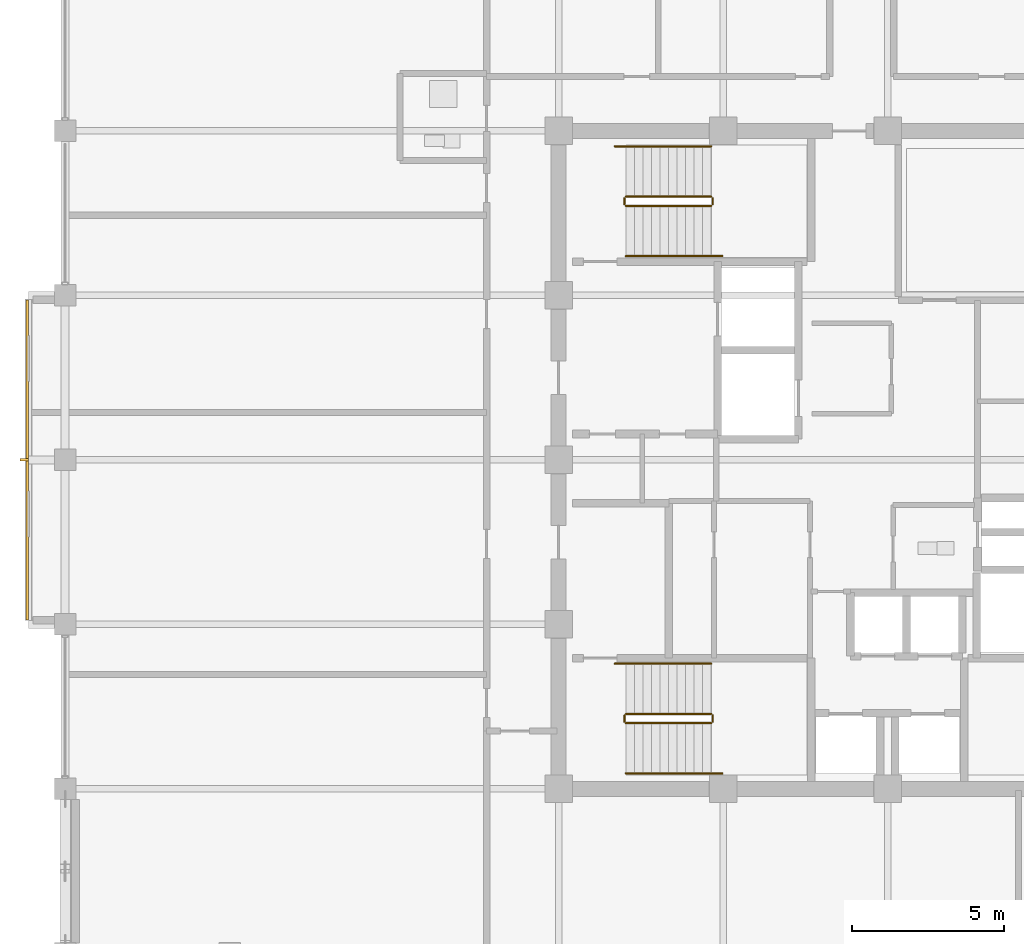
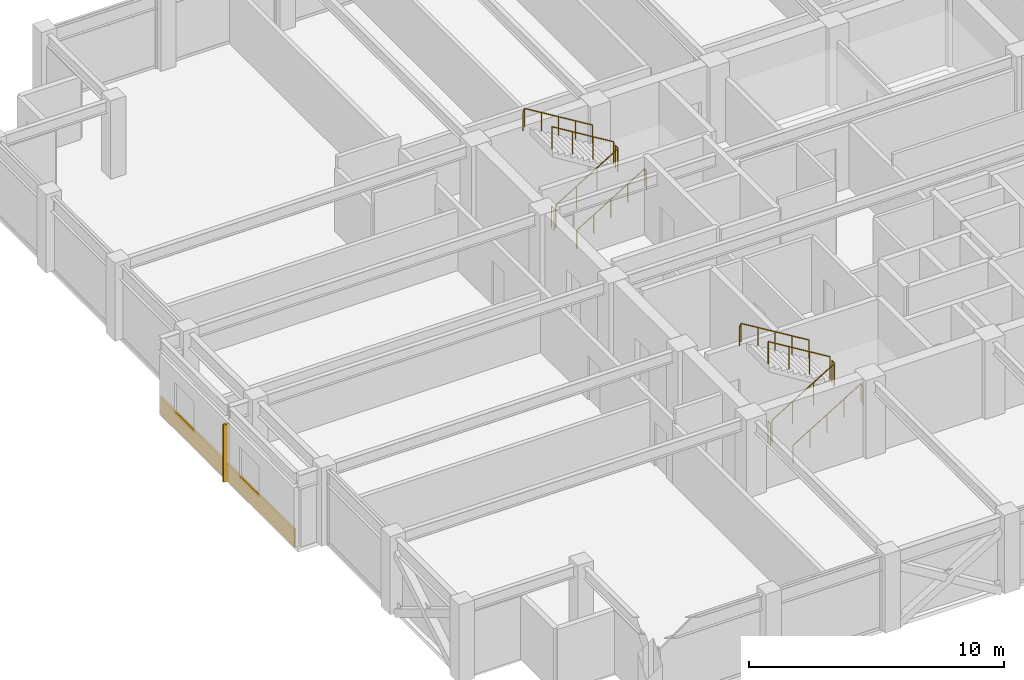
# One storey, part 28 of 30: 12 railings, 1 covering, 1 shading device.
"""IFC4 building model written with IfcOpenShell, lengths in metres."""

from ifc_helpers import new_model, si_unit, direction, frame, origin, origin_2d, place, context, subcontext, project, spatial, rectangle, circle, extrude, material, layer, layer_set, type_object, element, save


model = new_model("IFC4")

# Units and contexts
model_context = context("Model", 3, precision=1e-05, world=origin(), true_north=direction((0.0, 1.0)))
body_context = subcontext(model_context, "Body", "Model", "MODEL_VIEW")
ifc_project = project(units=[si_unit("LENGTHUNIT", "METRE"), si_unit("AREAUNIT", "SQUARE_METRE"), si_unit("VOLUMEUNIT", "CUBIC_METRE"), si_unit("PLANEANGLEUNIT", "RADIAN"), si_unit("MASSUNIT", "GRAM", prefix="KILO")], contexts=[model_context])

# Site, building, storey
site_placement = place(None, origin())
site = spatial("IfcSite", under=ifc_project, at=site_placement, CompositionType="ELEMENT")
building_placement = place(site_placement, origin())
building = spatial("IfcBuilding", under=site, at=building_placement, Name="Surkhivell Harbour Commons", CompositionType="ELEMENT")
storey_placement = place(building_placement, frame((0.0, 0.0, 303.75)))
storey = spatial("IfcBuildingStorey", under=building, at=storey_placement, Name="L79", CompositionType="ELEMENT", Elevation=303.75)

# Covering
ifc_material_1 = material(Name="Vermilion-coral enamelled aluminium cassette panel", Category="aluminium")
ifc_layer = layer(ifc_material_1, 0.074951171875)
ifc_layer_set = layer_set([ifc_layer], Name="Vermilion-coral enamelled aluminium cassette panel")
covering_type = type_object("IfcCoveringType", Name="COV-CLAD-VER", PredefinedType="CLADDING", material=ifc_layer_set)
covering_placement = place(storey_placement, frame((-28.239990234375, 0.0, 0.0), z_axis=(0.0, 0.0, 1.0), x_axis=(1.0, 0.0, 0.0)))
element("IfcCovering", 1, at=covering_placement, inside=storey, type_object=covering_type, Name="L79 Coloured-Panel Box Spandrel Cassette 02", PredefinedType="CLADDING", context=body_context, shape_type="SweptSolid", body=[
    extrude(rectangle(XDim=0.080078125, YDim=10.5, at=origin_2d()), origin(), (0.0, 0.0, 1.0), 0.840087890625),
])

# Railings
ifc_material_2 = material(Name="Galvanised and painted steel S355 guard rail", Category="steel")
railing_type_1 = type_object("IfcRailingType", Name="RAL-ST-GRD1100", PredefinedType="GUARDRAIL", material=ifc_material_2)
railing_1_placement = place(storey_placement, frame((-8.590087890625, 8.340087890625, 0.17041015625)))
element("IfcRailing", 2, at=railing_1_placement, inside=storey, type_object=railing_type_1, Name="L79 ST1 stair guard 1", PredefinedType="GUARDRAIL", context=body_context, shape_type="SweptSolid", body=[
    extrude(circle(Radius=0.02392578125, at=origin_2d()), frame((0.0, 0.0, 1.076171875), z_axis=(0.854169791009, 0.0, 0.51999420009), x_axis=(0.0, 1.0, 0.0)), (0.0, 0.0, 1.0), 3.278076171875),
    extrude(circle(Radius=0.02099609375, at=origin_2d()), origin(), (0.0, 0.0, 1.0), 1.052001953125),
    extrude(circle(Radius=0.02099609375, at=origin_2d()), frame((0.933349609375, 0.0, 0.568115234375)), (0.0, 0.0, 1.0), 1.052001953125),
    extrude(circle(Radius=0.02099609375, at=origin_2d()), frame((1.86669921875, 0.0, 1.136474609375)), (0.0, 0.0, 1.0), 1.052001953125),
    extrude(circle(Radius=0.02099609375, at=origin_2d()), frame((2.800048828125, 0.0, 1.70458984375)), (0.0, 0.0, 1.0), 1.052001953125),
])
railing_2_placement = place(storey_placement, frame((-5.739990234375, 8.389892578125, 1.875)))
element("IfcRailing", 3, at=railing_2_placement, inside=storey, type_object=railing_type_1, Name="L79 ST1 stair guard 2", PredefinedType="GUARDRAIL", context=body_context, shape_type="SweptSolid", body=[
    extrude(circle(Radius=0.02392578125, at=origin_2d()), frame((0.0, 0.0, 1.076171875), z_axis=(0.0, 1.0, 0.0), x_axis=(-1.0, 0.0, 0.0)), (0.0, 0.0, 1.0), 0.2001953125),
    extrude(circle(Radius=0.02099609375, at=origin_2d()), origin(), (0.0, 0.0, 1.0), 1.052001953125),
    extrude(circle(Radius=0.02099609375, at=origin_2d()), frame((0.0, 0.2001953125, 0.0)), (0.0, 0.0, 1.0), 1.052001953125),
])
railing_3_placement = place(storey_placement, frame((-5.7900390625, 8.639892578125, 2.04541015625)))
element("IfcRailing", 4, at=railing_3_placement, inside=storey, type_object=railing_type_1, Name="L79 ST1 stair guard 3", PredefinedType="GUARDRAIL", context=body_context, shape_type="SweptSolid", body=[
    extrude(circle(Radius=0.02392578125, at=origin_2d()), frame((0.0, 0.0, 1.076171875), z_axis=(-0.854169791009, 0.0, 0.51999420009), x_axis=(0.0, -1.0, 0.0)), (0.0, 0.0, 1.0), 3.278076171875),
    extrude(circle(Radius=0.02099609375, at=origin_2d()), origin(), (0.0, 0.0, 1.0), 1.052001953125),
    extrude(circle(Radius=0.02099609375, at=origin_2d()), frame((-0.933349609375, 0.0, 0.568115234375)), (0.0, 0.0, 1.0), 1.052001953125),
    extrude(circle(Radius=0.02099609375, at=origin_2d()), frame((-1.86669921875, 0.0, 1.136474609375)), (0.0, 0.0, 1.0), 1.052001953125),
    extrude(circle(Radius=0.02099609375, at=origin_2d()), frame((-2.800048828125, 0.0, 1.70458984375)), (0.0, 0.0, 1.0), 1.052001953125),
])
railing_4_placement = place(storey_placement, frame((-8.639892578125, 8.389892578125, 0.0)))
element("IfcRailing", 5, at=railing_4_placement, inside=storey, type_object=railing_type_1, Name="L79 ST1 stair guard 4", PredefinedType="GUARDRAIL", context=body_context, shape_type="SweptSolid", body=[
    extrude(circle(Radius=0.02392578125, at=origin_2d()), frame((0.0, 0.0, 1.076171875), z_axis=(0.0, 1.0, 0.0), x_axis=(-1.0, 0.0, 0.0)), (0.0, 0.0, 1.0), 0.2001953125),
    extrude(circle(Radius=0.02099609375, at=origin_2d()), origin(), (0.0, 0.0, 1.0), 1.052001953125),
    extrude(circle(Radius=0.02099609375, at=origin_2d()), frame((0.0, 0.2001953125, 0.0)), (0.0, 0.0, 1.0), 1.052001953125),
])
railing_5_placement = place(storey_placement, frame((-8.590087890625, -8.639892578125, 0.17041015625)))
element("IfcRailing", 6, at=railing_5_placement, inside=storey, type_object=railing_type_1, Name="L79 ST3 stair guard 1", PredefinedType="GUARDRAIL", context=body_context, shape_type="SweptSolid", body=[
    extrude(circle(Radius=0.02392578125, at=origin_2d()), frame((0.0, 0.0, 1.076171875), z_axis=(0.854169791009, 0.0, 0.51999420009), x_axis=(0.0, 1.0, 0.0)), (0.0, 0.0, 1.0), 3.278076171875),
    extrude(circle(Radius=0.02099609375, at=origin_2d()), origin(), (0.0, 0.0, 1.0), 1.052001953125),
    extrude(circle(Radius=0.02099609375, at=origin_2d()), frame((0.933349609375, 0.0, 0.568115234375)), (0.0, 0.0, 1.0), 1.052001953125),
    extrude(circle(Radius=0.02099609375, at=origin_2d()), frame((1.86669921875, 0.0, 1.136474609375)), (0.0, 0.0, 1.0), 1.052001953125),
    extrude(circle(Radius=0.02099609375, at=origin_2d()), frame((2.800048828125, 0.0, 1.70458984375)), (0.0, 0.0, 1.0), 1.052001953125),
])
railing_6_placement = place(storey_placement, frame((-5.739990234375, -8.590087890625, 1.875)))
element("IfcRailing", 7, at=railing_6_placement, inside=storey, type_object=railing_type_1, Name="L79 ST3 stair guard 2", PredefinedType="GUARDRAIL", context=body_context, shape_type="SweptSolid", body=[
    extrude(circle(Radius=0.02392578125, at=origin_2d()), frame((0.0, 0.0, 1.076171875), z_axis=(0.0, 1.0, 0.0), x_axis=(-1.0, 0.0, 0.0)), (0.0, 0.0, 1.0), 0.2001953125),
    extrude(circle(Radius=0.02099609375, at=origin_2d()), origin(), (0.0, 0.0, 1.0), 1.052001953125),
    extrude(circle(Radius=0.02099609375, at=origin_2d()), frame((0.0, 0.2001953125, 0.0)), (0.0, 0.0, 1.0), 1.052001953125),
])
railing_7_placement = place(storey_placement, frame((-5.7900390625, -8.340087890625, 2.04541015625)))
element("IfcRailing", 8, at=railing_7_placement, inside=storey, type_object=railing_type_1, Name="L79 ST3 stair guard 3", PredefinedType="GUARDRAIL", context=body_context, shape_type="SweptSolid", body=[
    extrude(circle(Radius=0.02392578125, at=origin_2d()), frame((0.0, 0.0, 1.076171875), z_axis=(-0.854169791009, 0.0, 0.51999420009), x_axis=(0.0, -1.0, 0.0)), (0.0, 0.0, 1.0), 3.278076171875),
    extrude(circle(Radius=0.02099609375, at=origin_2d()), origin(), (0.0, 0.0, 1.0), 1.052001953125),
    extrude(circle(Radius=0.02099609375, at=origin_2d()), frame((-0.933349609375, 0.0, 0.568115234375)), (0.0, 0.0, 1.0), 1.052001953125),
    extrude(circle(Radius=0.02099609375, at=origin_2d()), frame((-1.86669921875, 0.0, 1.136474609375)), (0.0, 0.0, 1.0), 1.052001953125),
    extrude(circle(Radius=0.02099609375, at=origin_2d()), frame((-2.800048828125, 0.0, 1.70458984375)), (0.0, 0.0, 1.0), 1.052001953125),
])
railing_8_placement = place(storey_placement, frame((-8.639892578125, -8.590087890625, 0.0)))
element("IfcRailing", 9, at=railing_8_placement, inside=storey, type_object=railing_type_1, Name="L79 ST3 stair guard 4", PredefinedType="GUARDRAIL", context=body_context, shape_type="SweptSolid", body=[
    extrude(circle(Radius=0.02392578125, at=origin_2d()), frame((0.0, 0.0, 1.076171875), z_axis=(0.0, 1.0, 0.0), x_axis=(-1.0, 0.0, 0.0)), (0.0, 0.0, 1.0), 0.2001953125),
    extrude(circle(Radius=0.02099609375, at=origin_2d()), origin(), (0.0, 0.0, 1.0), 1.052001953125),
    extrude(circle(Radius=0.02099609375, at=origin_2d()), frame((0.0, 0.2001953125, 0.0)), (0.0, 0.0, 1.0), 1.052001953125),
])
ifc_material_3 = material(Name="Brushed stainless steel S355 handrail", Category="steel")
railing_type_2 = type_object("IfcRailingType", Name="RAL-ST-HND900", PredefinedType="HANDRAIL", material=ifc_material_3)
railing_9_placement = place(storey_placement, frame((-8.590087890625, 6.68994140625, 0.17041015625)))
element("IfcRailing", 10, at=railing_9_placement, inside=storey, type_object=railing_type_2, Name="L79 ST1 stair handrail 1", PredefinedType="HANDRAIL", context=body_context, shape_type="SweptSolid", body=[
    extrude(circle(Radius=0.02392578125, at=origin_2d()), frame((0.0, 0.0, 0.8759765625), z_axis=(0.854177636135, 0.0, 0.519981313056), x_axis=(0.0, 1.0, 0.0)), (0.0, 0.0, 1.0), 3.60595703125),
    extrude(circle(Radius=0.02392578125, at=origin_2d()), frame((3.080078125, 0.0, 2.7509765625), z_axis=(0.425297416671, 0.0, -0.905053648892), x_axis=(0.0, 1.0, 0.0)), (0.0, 0.0, 1.0), 0.188232421875),
    extrude(circle(Radius=0.02099609375, at=origin_2d()), origin(), (0.0, 0.0, 1.0), 0.851806640625),
    extrude(circle(Radius=0.02099609375, at=origin_2d()), frame((0.77001953125, 0.0, 0.46875)), (0.0, 0.0, 1.0), 0.851806640625),
    extrude(circle(Radius=0.02099609375, at=origin_2d()), frame((1.5400390625, 0.0, 0.9375)), (0.0, 0.0, 1.0), 0.851806640625),
    extrude(circle(Radius=0.02099609375, at=origin_2d()), frame((2.31005859375, 0.0, 1.40625)), (0.0, 0.0, 1.0), 0.851806640625),
    extrude(circle(Radius=0.02099609375, at=origin_2d()), frame((3.080078125, 0.0, 1.875)), (0.0, 0.0, 1.0), 0.851806640625),
    extrude(circle(Radius=0.02099609375, at=origin_2d()), frame((3.16015625, 0.0, 1.70458984375)), (0.0, 0.0, 1.0), 0.851806640625),
])
railing_10_placement = place(storey_placement, frame((-5.7900390625, 10.2900390625, 2.04541015625)))
element("IfcRailing", 11, at=railing_10_placement, inside=storey, type_object=railing_type_2, Name="L79 ST1 stair handrail 2", PredefinedType="HANDRAIL", context=body_context, shape_type="SweptSolid", body=[
    extrude(circle(Radius=0.02392578125, at=origin_2d()), frame((0.0, 0.0, 0.8759765625), z_axis=(-0.854177636135, 0.0, 0.519981313056), x_axis=(0.0, -1.0, 0.0)), (0.0, 0.0, 1.0), 3.60595703125),
    extrude(circle(Radius=0.02392578125, at=origin_2d()), frame((-3.080078125, 0.0, 2.7509765625), z_axis=(-0.424234432967, 0.0, -0.905552398199), x_axis=(0.0, -1.0, 0.0)), (0.0, 0.0, 1.0), 0.188232421875),
    extrude(circle(Radius=0.02099609375, at=origin_2d()), origin(), (0.0, 0.0, 1.0), 0.851806640625),
    extrude(circle(Radius=0.02099609375, at=origin_2d()), frame((-0.77001953125, 0.0, 0.46875)), (0.0, 0.0, 1.0), 0.851806640625),
    extrude(circle(Radius=0.02099609375, at=origin_2d()), frame((-1.5400390625, 0.0, 0.9375)), (0.0, 0.0, 1.0), 0.851806640625),
    extrude(circle(Radius=0.02099609375, at=origin_2d()), frame((-2.31005859375, 0.0, 1.40625)), (0.0, 0.0, 1.0), 0.851806640625),
    extrude(circle(Radius=0.02099609375, at=origin_2d()), frame((-3.080078125, 0.0, 1.875)), (0.0, 0.0, 1.0), 0.851806640625),
    extrude(circle(Radius=0.02099609375, at=origin_2d()), frame((-3.159912109375, 0.0, 1.70458984375)), (0.0, 0.0, 1.0), 0.851806640625),
])
railing_11_placement = place(storey_placement, frame((-8.590087890625, -10.2900390625, 0.17041015625)))
element("IfcRailing", 12, at=railing_11_placement, inside=storey, type_object=railing_type_2, Name="L79 ST3 stair handrail 1", PredefinedType="HANDRAIL", context=body_context, shape_type="SweptSolid", body=[
    extrude(circle(Radius=0.02392578125, at=origin_2d()), frame((0.0, 0.0, 0.8759765625), z_axis=(0.854177636135, 0.0, 0.519981313056), x_axis=(0.0, 1.0, 0.0)), (0.0, 0.0, 1.0), 3.60595703125),
    extrude(circle(Radius=0.02392578125, at=origin_2d()), frame((3.080078125, 0.0, 2.7509765625), z_axis=(0.425297416671, 0.0, -0.905053648892), x_axis=(0.0, 1.0, 0.0)), (0.0, 0.0, 1.0), 0.188232421875),
    extrude(circle(Radius=0.02099609375, at=origin_2d()), origin(), (0.0, 0.0, 1.0), 0.851806640625),
    extrude(circle(Radius=0.02099609375, at=origin_2d()), frame((0.77001953125, 0.0, 0.46875)), (0.0, 0.0, 1.0), 0.851806640625),
    extrude(circle(Radius=0.02099609375, at=origin_2d()), frame((1.5400390625, 0.0, 0.9375)), (0.0, 0.0, 1.0), 0.851806640625),
    extrude(circle(Radius=0.02099609375, at=origin_2d()), frame((2.31005859375, 0.0, 1.40625)), (0.0, 0.0, 1.0), 0.851806640625),
    extrude(circle(Radius=0.02099609375, at=origin_2d()), frame((3.080078125, 0.0, 1.875)), (0.0, 0.0, 1.0), 0.851806640625),
    extrude(circle(Radius=0.02099609375, at=origin_2d()), frame((3.16015625, 0.0, 1.70458984375)), (0.0, 0.0, 1.0), 0.851806640625),
])
railing_12_placement = place(storey_placement, frame((-5.7900390625, -6.68994140625, 2.04541015625)))
element("IfcRailing", 13, at=railing_12_placement, inside=storey, type_object=railing_type_2, Name="L79 ST3 stair handrail 2", PredefinedType="HANDRAIL", context=body_context, shape_type="SweptSolid", body=[
    extrude(circle(Radius=0.02392578125, at=origin_2d()), frame((0.0, 0.0, 0.8759765625), z_axis=(-0.854177636135, 0.0, 0.519981313056), x_axis=(0.0, -1.0, 0.0)), (0.0, 0.0, 1.0), 3.60595703125),
    extrude(circle(Radius=0.02392578125, at=origin_2d()), frame((-3.080078125, 0.0, 2.7509765625), z_axis=(-0.424234432967, 0.0, -0.905552398199), x_axis=(0.0, -1.0, 0.0)), (0.0, 0.0, 1.0), 0.188232421875),
    extrude(circle(Radius=0.02099609375, at=origin_2d()), origin(), (0.0, 0.0, 1.0), 0.851806640625),
    extrude(circle(Radius=0.02099609375, at=origin_2d()), frame((-0.77001953125, 0.0, 0.46875)), (0.0, 0.0, 1.0), 0.851806640625),
    extrude(circle(Radius=0.02099609375, at=origin_2d()), frame((-1.5400390625, 0.0, 0.9375)), (0.0, 0.0, 1.0), 0.851806640625),
    extrude(circle(Radius=0.02099609375, at=origin_2d()), frame((-2.31005859375, 0.0, 1.40625)), (0.0, 0.0, 1.0), 0.851806640625),
    extrude(circle(Radius=0.02099609375, at=origin_2d()), frame((-3.080078125, 0.0, 1.875)), (0.0, 0.0, 1.0), 0.851806640625),
    extrude(circle(Radius=0.02099609375, at=origin_2d()), frame((-3.159912109375, 0.0, 1.70458984375)), (0.0, 0.0, 1.0), 0.851806640625),
])

# Shading device
ifc_material_4 = material(Name="Champagne anodised aluminium solar fin", Category="aluminium")
shading_device_type = type_object("IfcShadingDeviceType", Name="SHD-FIN-SLIM", PredefinedType="USERDEFINED", material=ifc_material_4)
shading_device_placement = place(storey_placement, frame((-28.340087890625, 0.0, 0.0048828125), z_axis=(0.0, 0.0, 1.0), x_axis=(1.0, 0.0, 0.0)))
element("IfcShadingDevice", 14, at=shading_device_placement, inside=storey, type_object=shading_device_type, Name="L79 Coloured-Box Solar Fin 02", ObjectType="FIN", PredefinedType="USERDEFINED", context=body_context, shape_type="SweptSolid", body=[
    extrude(rectangle(XDim=0.280029296875, YDim=0.080078125, at=origin_2d()), origin(), (0.0, 0.0, 1.0), 2.75),
])

save(model, "model.ifc")
